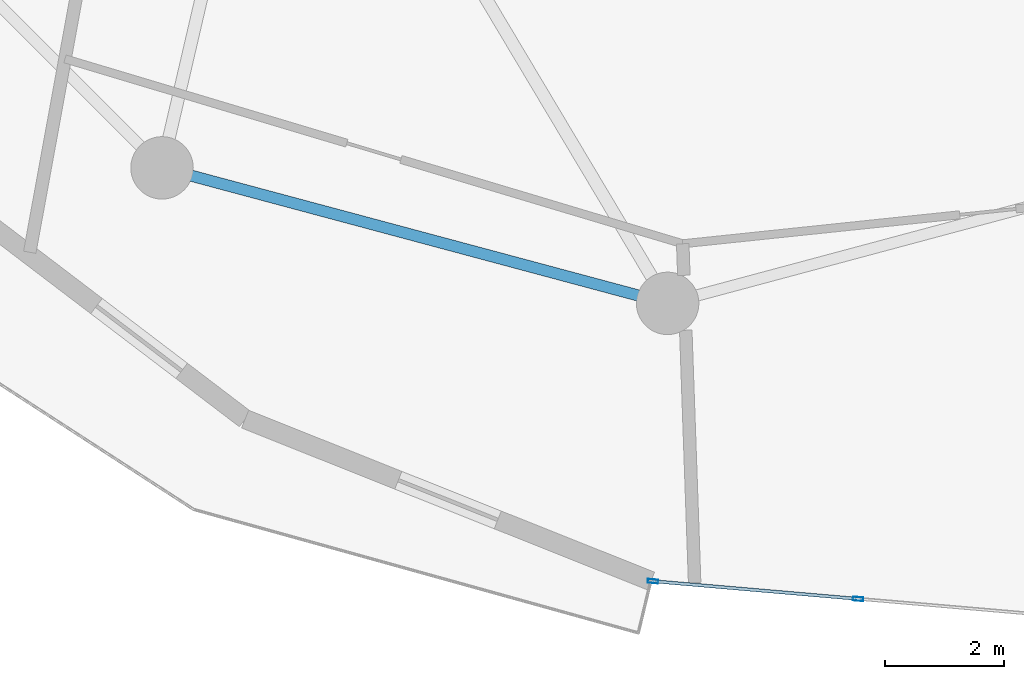
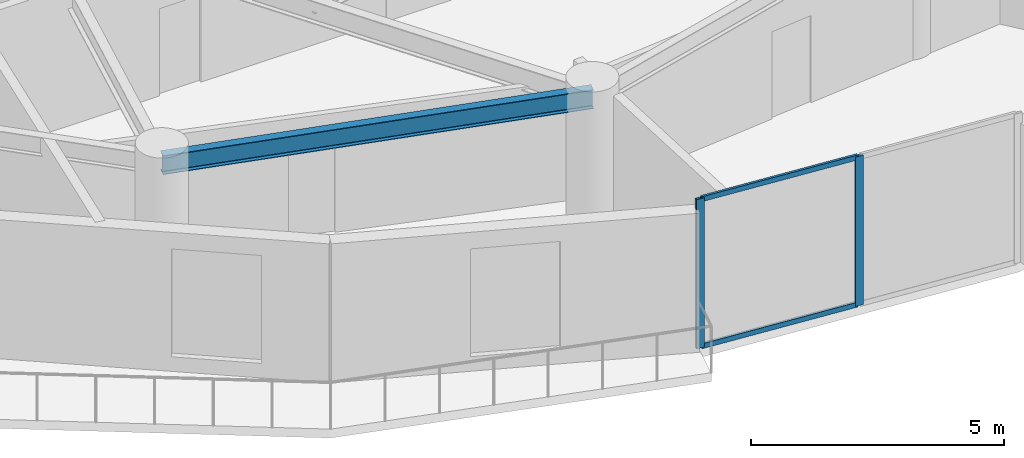
# One storey, part 2 of 22: 4 members, 1 beam, 1 element without a shape of its own.
"""IFC4 building model written with IfcOpenShell, lengths in metres."""

import ifcopenshell
import ifcopenshell.guid

model = None  # the IFC model being written
_history = None  # IfcOwnerHistory: only IFC2X3 demands one
_inside = {}  # id of a spatial element -> (the spatial element, [elements in it])
_under = {}  # id of a project, library or spatial element -> (it, [spatial elements below it])
_declared = {}  # id of a project -> (the project, [libraries it declares])
_typed = {}  # id of a type object -> (the type object, [elements of that type])
_made_of = {}  # id of a material, layer set ... -> (it, [elements and type objects made of it])


def new_model(schema):
    """Start an empty IFC model of exactly this schema.

    Asked for "IFC4X3", IfcOpenShell would pick the latest addendum, in which some entities
    have other attributes; the version numbers below select the first issue.
    IFC2X3 requires an IfcOwnerHistory on every rooted entity: one is made here for all.
    """
    global model, _history
    if schema == "IFC4X3":
        model = ifcopenshell.file(schema_version=(4, 3, 0, 0))
    else:
        model = ifcopenshell.file(schema=schema)
    _inside.clear()
    _under.clear()
    _declared.clear()
    _typed.clear()
    _made_of.clear()
    _history = None
    if model.schema == "IFC2X3":
        org = make("IfcOrganization", Name="unknown")
        user = make(
            "IfcPersonAndOrganization",
            ThePerson=make("IfcPerson", FamilyName="unknown"),
            TheOrganization=org,
        )
        app = make(
            "IfcApplication",
            ApplicationDeveloper=org,
            Version="unknown",
            ApplicationFullName="unknown",
            ApplicationIdentifier="unknown",
        )
        _history = make(
            "IfcOwnerHistory",
            OwningUser=user,
            OwningApplication=app,
            ChangeAction="ADDED",
            CreationDate=0,
        )
    return model


def make(cls, **values):
    """One entity of the class cls with the attributes given. An attribute that is None is left unset."""
    return model.create_entity(
        cls, **{name: value for name, value in values.items() if value is not None}
    )


def rooted(cls, **values):
    """An entity with a GlobalId (a new one), such as an element, a storey or a relation."""
    return make(cls, GlobalId=ifcopenshell.guid.new(), OwnerHistory=_history, **values)


def si_unit(unit_type, name, prefix=None):
    """IfcSIUnit, for example si_unit("LENGTHUNIT", "METRE", prefix="MILLI")."""
    return make("IfcSIUnit", UnitType=unit_type, Prefix=prefix, Name=name)


def assignment(units):
    """IfcUnitAssignment: the units of a project."""
    return None if units is None else make("IfcUnitAssignment", Units=units)


def point(xyz):
    """IfcCartesianPoint."""
    return None if xyz is None else make("IfcCartesianPoint", Coordinates=xyz)


def direction(xyz):
    """IfcDirection."""
    return None if xyz is None else make("IfcDirection", DirectionRatios=xyz)


def frame(location, z_axis=None, x_axis=None):
    """IfcAxis2Placement3D, a coordinate frame: its origin and axes. An axis left out is left unset."""
    return make(
        "IfcAxis2Placement3D",
        Location=point(location),
        Axis=direction(z_axis),
        RefDirection=direction(x_axis),
    )


def frame_2d(location, x_axis=None):
    """IfcAxis2Placement2D, a coordinate frame in the plane: its origin and x axis."""
    return make(
        "IfcAxis2Placement2D", Location=point(location), RefDirection=direction(x_axis)
    )


def origin():
    """The frame at (0, 0, 0) with its axes left unset."""
    return frame((0.0, 0.0, 0.0))


def origin_2d():
    """The frame at (0, 0) in the plane with its x axis left unset."""
    return frame_2d((0.0, 0.0))


def place(relative_to, where):
    """IfcLocalPlacement: puts the frame where relative to a parent placement (None: the world)."""
    return make(
        "IfcLocalPlacement", PlacementRelTo=relative_to, RelativePlacement=where
    )


def context(
    kind, dimensions, precision=None, world=None, true_north=None, identifier=None
):
    """IfcGeometricRepresentationContext, for example the 3D "Model" context."""
    return make(
        "IfcGeometricRepresentationContext",
        ContextIdentifier=identifier,
        ContextType=kind,
        CoordinateSpaceDimension=dimensions,
        Precision=precision,
        WorldCoordinateSystem=world,
        TrueNorth=true_north,
    )


def subcontext(parent, identifier, kind, view, scale=None):
    """IfcGeometricRepresentationSubContext, for example "Body" below "Model"."""
    return make(
        "IfcGeometricRepresentationSubContext",
        ContextIdentifier=identifier,
        ContextType=kind,
        ParentContext=parent,
        TargetScale=scale,
        TargetView=view,
    )


def project(units=None, contexts=None):
    """IfcProject with its units and contexts."""
    return rooted(
        "IfcProject",
        Name="project",
        RepresentationContexts=contexts,
        UnitsInContext=assignment(units),
    )


def spatial(cls, under=None, at=None, **own):
    """A site, building, storey or space (cls), placed at a placement, below another one or the project."""
    s = rooted(cls, ObjectPlacement=at, **own)
    if under is not None:
        _under.setdefault(under.id(), (under, []))[1].append(s)
    return s


def profile(cls, at=None, kind="AREA", **sizes):
    """A parametric profile (cls). Its sizes go by their IFC names, for example OverallWidth=200.0."""
    return make(cls, ProfileType=kind, Position=at, **sizes)


def hollow_rectangle(**sizes):
    """IfcRectangleHollowProfileDef."""
    return profile("IfcRectangleHollowProfileDef", **sizes)


def i_section(**sizes):
    """IfcIShapeProfileDef."""
    return profile("IfcIShapeProfileDef", **sizes)


def extrude(swept, where, along, depth):
    """IfcExtrudedAreaSolid: the profile swept, set in the frame where, extruded along a direction by depth."""
    return make(
        "IfcExtrudedAreaSolid",
        SweptArea=swept,
        Position=where,
        ExtrudedDirection=direction(along),
        Depth=depth,
    )


def shape(context_of_items, identifier, shape_type, items):
    """IfcShapeRepresentation: the items that make up one representation, for example the "Body"."""
    return make(
        "IfcShapeRepresentation",
        ContextOfItems=context_of_items,
        RepresentationIdentifier=identifier,
        RepresentationType=shape_type,
        Items=items,
    )


def source(mapping_origin, context_of_items, identifier, shape_type, items):
    """IfcRepresentationMap: a shape defined once, which mapped items show again and again."""
    return make(
        "IfcRepresentationMap",
        MappingOrigin=mapping_origin,
        MappedRepresentation=shape(context_of_items, identifier, shape_type, items),
    )


def transform(
    local_origin,
    x_axis=None,
    y_axis=None,
    z_axis=None,
    scale=None,
    scale2=None,
    scale3=None,
    uniform=True,
):
    """IfcCartesianTransformationOperator3D, or its non-uniform kind. x_axis, y_axis, z_axis: its Axis1, 2, 3."""
    if uniform:
        return make(
            "IfcCartesianTransformationOperator3D",
            Axis1=direction(x_axis),
            Axis2=direction(y_axis),
            LocalOrigin=point(local_origin),
            Scale=scale,
            Axis3=direction(z_axis),
        )
    return make(
        "IfcCartesianTransformationOperator3DnonUniform",
        Axis1=direction(x_axis),
        Axis2=direction(y_axis),
        LocalOrigin=point(local_origin),
        Scale=scale,
        Axis3=direction(z_axis),
        Scale2=scale2,
        Scale3=scale3,
    )


def mapped(mapping_source, mapping_target):
    """IfcMappedItem: shows the shape of a source again, moved by a transform."""
    return make(
        "IfcMappedItem", MappingSource=mapping_source, MappingTarget=mapping_target
    )


def material(Name=None, Category=None):
    """IfcMaterial."""
    return make("IfcMaterial", Name=Name, Category=Category)


def layer(
    of_material, thickness, ventilated=None, Name=None, Category=None, Priority=None
):
    """IfcMaterialLayer: one layer of a wall or slab, of a material (None: an air gap)."""
    return make(
        "IfcMaterialLayer",
        Material=of_material,
        LayerThickness=thickness,
        IsVentilated=ventilated,
        Name=Name,
        Category=Category,
        Priority=Priority,
    )


def layer_set(layers, Name=None):
    """IfcMaterialLayerSet."""
    return make("IfcMaterialLayerSet", MaterialLayers=layers, LayerSetName=Name)


def material_profile(
    of_material, cross_section, Name=None, Category=None, Priority=None
):
    """IfcMaterialProfile: a cross section and its material."""
    return make(
        "IfcMaterialProfile",
        Name=Name,
        Material=of_material,
        Profile=cross_section,
        Priority=Priority,
        Category=Category,
    )


def profile_set(profiles, Name=None, composite=None):
    """IfcMaterialProfileSet."""
    return make(
        "IfcMaterialProfileSet",
        Name=Name,
        MaterialProfiles=profiles,
        CompositeProfile=composite,
    )


def made_of(thing, what):
    """Note that an element or type object is made of a material, layer set ...; save() writes the relation."""
    if what is not None:
        _made_of.setdefault(what.id(), (what, []))[1].append(thing)
    return thing


def type_object(cls, material=None, **own):
    """A type object (cls), such as IfcWallType, which elements share."""
    return made_of(rooted(cls, **own), material)


def element(
    cls,
    number,
    at=None,
    inside=None,
    cuts=None,
    type_object=None,
    material=None,
    context=None,
    identifier="Body",
    shape_type=None,
    held_by="IfcProductDefinitionShape",
    body=None,
    shapes=None,
    **own,
):
    """One element of the class cls, such as IfcWall. Its Tag is "e" and its number.

    at: its placement. inside: the storey or other place that contains it. cuts: it is an
    opening in that element (IfcRelVoidsElement). A single representation is given by context,
    identifier, shape_type and body (its items); several are given by shapes. held_by: the class
    of the entity that holds the representations. save() writes the other relations.
    """
    e = rooted(cls, Tag="e%d" % number, ObjectPlacement=at, **own)
    if body is not None:
        shapes = [shape(context, identifier, shape_type, body)]
    if shapes is not None:
        e.Representation = make(held_by, Representations=shapes)
    if inside is not None:
        _inside.setdefault(inside.id(), (inside, []))[1].append(e)
    if cuts is not None:
        rooted(
            "IfcRelVoidsElement", RelatingBuildingElement=cuts, RelatedOpeningElement=e
        )
    if type_object is not None:
        _typed.setdefault(type_object.id(), (type_object, []))[1].append(e)
    return made_of(e, material)


def aggregate(whole, parts):
    """IfcRelAggregates: a whole, such as a stair, and the parts it consists of."""
    return rooted("IfcRelAggregates", RelatingObject=whole, RelatedObjects=parts)


def save(model, path):
    """Write the relations noted so far, then the file.

    IfcRelAggregates (storeys below a building ...), IfcRelContainedInSpatialStructure (elements
    in a storey), IfcRelDefinesByType, IfcRelAssociatesMaterial and IfcRelDeclares: one each for
    every whole, place, type object, material and project.
    """
    for whole, parts in _under.values():
        aggregate(whole, parts)
    for where, things in _inside.values():
        rooted(
            "IfcRelContainedInSpatialStructure",
            RelatedElements=things,
            RelatingStructure=where,
        )
    for kind, things in _typed.values():
        rooted("IfcRelDefinesByType", RelatedObjects=things, RelatingType=kind)
    for what, things in _made_of.values():
        rooted("IfcRelAssociatesMaterial", RelatedObjects=things, RelatingMaterial=what)
    for by, libraries in _declared.values():
        rooted("IfcRelDeclares", RelatingContext=by, RelatedDefinitions=libraries)
    model.write(path)


model = new_model("IFC4")

# Units and contexts
model_context = context("Model", 3, precision=1e-05, world=origin(), true_north=direction((0.0, 1.0)))
body_context = subcontext(model_context, "Body", "Model", "MODEL_VIEW")
ifc_project = project(units=[si_unit("LENGTHUNIT", "METRE"), si_unit("AREAUNIT", "SQUARE_METRE"), si_unit("VOLUMEUNIT", "CUBIC_METRE"), si_unit("PLANEANGLEUNIT", "RADIAN"), si_unit("MASSUNIT", "GRAM", prefix="KILO")], contexts=[model_context])

# Site, building, storey
site_placement = place(None, origin())
site = spatial("IfcSite", under=ifc_project, at=site_placement, CompositionType="ELEMENT")
building_placement = place(site_placement, origin())
building = spatial("IfcBuilding", under=site, at=building_placement, Name="Solvirekh Grand Hotel", CompositionType="ELEMENT")
storey_placement = place(building_placement, frame((0.0, 0.0, 145.800048828125)))
storey = spatial("IfcBuildingStorey", under=building, at=storey_placement, Name="L37", CompositionType="ELEMENT", Elevation=145.800048828125)

# Beam
ifc_material_1 = material(Name="Steel S355", Category="steel")
ifc_material_profile_1 = material_profile(ifc_material_1, i_section(OverallWidth=0.18994140625, OverallDepth=0.45703125, WebThickness=0.009033203125, FlangeThickness=0.013916015625, FilletRadius=0.012939453125, at=origin_2d()), Name="W460X74")
ifc_profile_set_1 = profile_set([ifc_material_profile_1], Name="Steel S355")
beam_type = type_object("IfcBeamType", Name="Spandrel_Ring_W460", PredefinedType="SPANDREL", material=ifc_profile_set_1)
beam_placement = place(storey_placement, frame((-8.5, -14.721923828125, 3.1220703125), z_axis=(0.965911391906, -0.258872908946, 0.0), x_axis=(0.258872908946, 0.965911391906, 0.0)))
element("IfcBeam", 1, at=beam_placement, inside=storey, type_object=beam_type, Name="L37 perimeter spandrel beam 9", PredefinedType="SPANDREL", context=body_context, shape_type="SweptSolid", body=[
    extrude(i_section(OverallWidth=0.18994140625, OverallDepth=0.45703125, WebThickness=0.009033203125, FlangeThickness=0.013916015625, FilletRadius=0.012939453125, at=origin_2d()), origin(), (0.0, 0.0, 1.0), 8.800048828125),
])

# Curtain wall, members
ifc_material_2 = material(Name="Anodized Bronze Aluminium 6063-T6", Category="aluminium")
ifc_layer = layer(ifc_material_2, 0.175048828125)
ifc_layer_set = layer_set([ifc_layer], Name="Anodized Bronze Aluminium 6063-T6")
curtain_wall_type = type_object("IfcCurtainWallType", Name="CW_Sys3_MidZoneFlushBronzeCW", PredefinedType="NOTDEFINED", material=ifc_layer_set)
curtain_wall_placement = place(storey_placement, origin())
curtain_wall = element("IfcCurtainWall", 2, at=curtain_wall_placement, inside=storey, type_object=curtain_wall_type, Name="L37 unitised bronze-glass curtain wall CW-L37-C18", PredefinedType="NOTDEFINED")
ifc_material_profile_2 = material_profile(ifc_material_2, hollow_rectangle(XDim=0.06494140625, YDim=0.175048828125, WallThickness=0.0048828125, at=origin_2d()), Name="ALU RHS 175X65X5")
ifc_profile_set_2 = profile_set([ifc_material_profile_2], Name="Anodized Bronze Aluminium 6063-T6")
member_type_1 = type_object("IfcMemberType", Name="CWMullion_Sys3", PredefinedType="MULLION", material=ifc_profile_set_2)
shared_shape_1 = source(origin(), body_context, "Body", "SweptSolid", [
    extrude(hollow_rectangle(XDim=0.06494140625, YDim=0.175048828125, WallThickness=0.0048828125, at=origin_2d()), origin(), (0.0, 0.0, 1.0), 3.599853515625),
])
member_1_placement = place(storey_placement, frame((-0.24755859375, -21.6708984375, 0.0), z_axis=(0.0, 0.0, 1.0), x_axis=(0.086123385444, 0.996284478691, 0.0)))
member_1 = element("IfcMember", 3, at=member_1_placement, type_object=member_type_1, Name="U03 mullion 1", PredefinedType="MULLION", context=body_context, shape_type="MappedRepresentation", body=[
    mapped(shared_shape_1, transform((0.0, 0.0, 0.0), x_axis=(1.0, 0.0, 0.0), y_axis=(0.0, 1.0, 0.0), z_axis=(0.0, 0.0, 1.0), scale=1.0)),
])
member_2_placement = place(storey_placement, frame((3.201904296875, -21.968994140625, 0.0), z_axis=(0.0, 0.0, 1.0), x_axis=(0.086123385444, 0.996284478691, 0.0)))
member_2 = element("IfcMember", 4, at=member_2_placement, type_object=member_type_1, Name="U03 mullion 2", PredefinedType="MULLION", context=body_context, shape_type="MappedRepresentation", body=[
    mapped(shared_shape_1, transform((0.0, 0.0, 0.0), x_axis=(1.0, 0.0, 0.0), y_axis=(0.0, 1.0, 0.0), z_axis=(0.0, 0.0, 1.0), scale=1.0)),
])
ifc_material_profile_3 = material_profile(ifc_material_2, hollow_rectangle(XDim=0.054931640625, YDim=0.1201171875, WallThickness=0.00390625, at=origin_2d()), Name="ALU RHS 120X55X4")
ifc_profile_set_3 = profile_set([ifc_material_profile_3], Name="Anodized Bronze Aluminium 6063-T6")
member_type_2 = type_object("IfcMemberType", Name="CWTransom_Sys3", PredefinedType="USERDEFINED", material=ifc_profile_set_3)
shared_shape_2 = source(origin(), body_context, "Body", "SweptSolid", [
    extrude(hollow_rectangle(XDim=0.054931640625, YDim=0.1201171875, WallThickness=0.00390625, at=origin_2d()), origin(), (0.0, 0.0, 1.0), 3.397705078125),
])
member_3_placement = place(storey_placement, frame((-0.21533203125, -21.673583984375, 0.02734375), z_axis=(0.996281728331, -0.08615519598, 0.0), x_axis=(0.08615519598, 0.996281728331, 0.0)))
member_3 = element("IfcMember", 5, at=member_3_placement, type_object=member_type_2, Name="U03 transom 1.1", ObjectType="TRANSOM", PredefinedType="USERDEFINED", context=body_context, shape_type="MappedRepresentation", body=[
    mapped(shared_shape_2, transform((0.0, 0.0, 0.0), x_axis=(1.0, 0.0, 0.0), y_axis=(0.0, 1.0, 0.0), z_axis=(0.0, 0.0, 1.0), scale=1.0)),
])
member_4_placement = place(storey_placement, frame((-0.21533203125, -21.673583984375, 3.572509765625), z_axis=(0.996281728331, -0.08615519598, 0.0), x_axis=(0.08615519598, 0.996281728331, 0.0)))
member_4 = element("IfcMember", 6, at=member_4_placement, type_object=member_type_2, Name="U03 transom 1.2", ObjectType="TRANSOM", PredefinedType="USERDEFINED", context=body_context, shape_type="MappedRepresentation", body=[
    mapped(shared_shape_2, transform((0.0, 0.0, 0.0), x_axis=(1.0, 0.0, 0.0), y_axis=(0.0, 1.0, 0.0), z_axis=(0.0, 0.0, 1.0), scale=1.0)),
])
aggregate(curtain_wall, [member_1, member_2, member_3, member_4])

save(model, "model.ifc")
